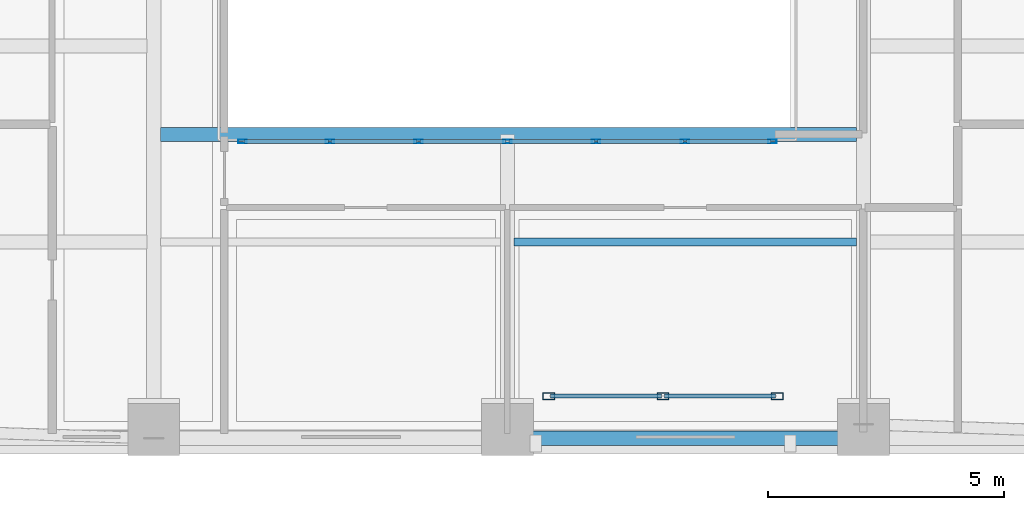
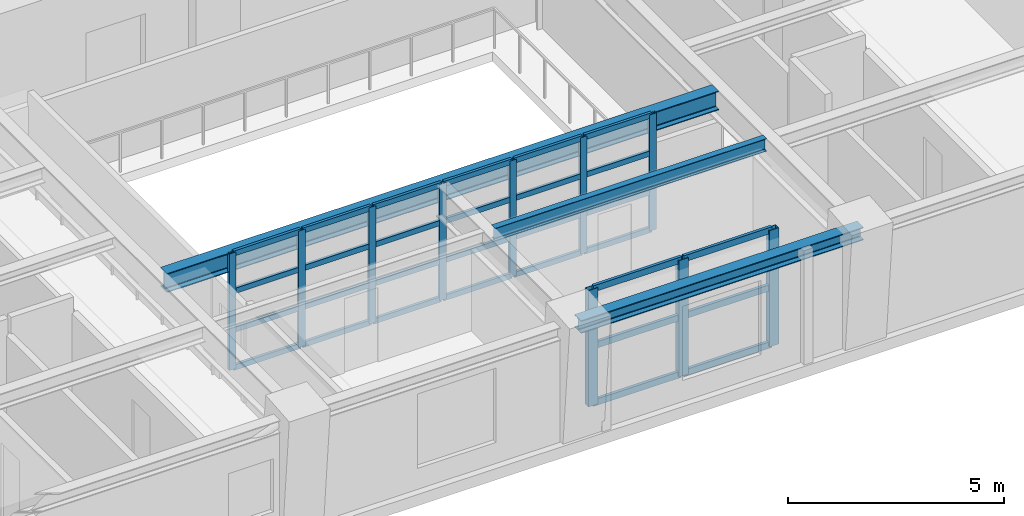
# One storey, part 2 of 13: 40 members, 3 beams, 2 elements without a shape of their own.
"""IFC4 building model written with IfcOpenShell, lengths in metres."""

import ifcopenshell
import ifcopenshell.guid

model = None  # the IFC model being written
_history = None  # IfcOwnerHistory: only IFC2X3 demands one
_inside = {}  # id of a spatial element -> (the spatial element, [elements in it])
_under = {}  # id of a project, library or spatial element -> (it, [spatial elements below it])
_declared = {}  # id of a project -> (the project, [libraries it declares])
_typed = {}  # id of a type object -> (the type object, [elements of that type])
_made_of = {}  # id of a material, layer set ... -> (it, [elements and type objects made of it])


def new_model(schema):
    """Start an empty IFC model of exactly this schema.

    Asked for "IFC4X3", IfcOpenShell would pick the latest addendum, in which some entities
    have other attributes; the version numbers below select the first issue.
    IFC2X3 requires an IfcOwnerHistory on every rooted entity: one is made here for all.
    """
    global model, _history
    if schema == "IFC4X3":
        model = ifcopenshell.file(schema_version=(4, 3, 0, 0))
    else:
        model = ifcopenshell.file(schema=schema)
    _inside.clear()
    _under.clear()
    _declared.clear()
    _typed.clear()
    _made_of.clear()
    _history = None
    if model.schema == "IFC2X3":
        org = make("IfcOrganization", Name="unknown")
        user = make(
            "IfcPersonAndOrganization",
            ThePerson=make("IfcPerson", FamilyName="unknown"),
            TheOrganization=org,
        )
        app = make(
            "IfcApplication",
            ApplicationDeveloper=org,
            Version="unknown",
            ApplicationFullName="unknown",
            ApplicationIdentifier="unknown",
        )
        _history = make(
            "IfcOwnerHistory",
            OwningUser=user,
            OwningApplication=app,
            ChangeAction="ADDED",
            CreationDate=0,
        )
    return model


def make(cls, **values):
    """One entity of the class cls with the attributes given. An attribute that is None is left unset."""
    return model.create_entity(
        cls, **{name: value for name, value in values.items() if value is not None}
    )


def rooted(cls, **values):
    """An entity with a GlobalId (a new one), such as an element, a storey or a relation."""
    return make(cls, GlobalId=ifcopenshell.guid.new(), OwnerHistory=_history, **values)


def si_unit(unit_type, name, prefix=None):
    """IfcSIUnit, for example si_unit("LENGTHUNIT", "METRE", prefix="MILLI")."""
    return make("IfcSIUnit", UnitType=unit_type, Prefix=prefix, Name=name)


def assignment(units):
    """IfcUnitAssignment: the units of a project."""
    return None if units is None else make("IfcUnitAssignment", Units=units)


def point(xyz):
    """IfcCartesianPoint."""
    return None if xyz is None else make("IfcCartesianPoint", Coordinates=xyz)


def direction(xyz):
    """IfcDirection."""
    return None if xyz is None else make("IfcDirection", DirectionRatios=xyz)


def frame(location, z_axis=None, x_axis=None):
    """IfcAxis2Placement3D, a coordinate frame: its origin and axes. An axis left out is left unset."""
    return make(
        "IfcAxis2Placement3D",
        Location=point(location),
        Axis=direction(z_axis),
        RefDirection=direction(x_axis),
    )


def frame_2d(location, x_axis=None):
    """IfcAxis2Placement2D, a coordinate frame in the plane: its origin and x axis."""
    return make(
        "IfcAxis2Placement2D", Location=point(location), RefDirection=direction(x_axis)
    )


def origin():
    """The frame at (0, 0, 0) with its axes left unset."""
    return frame((0.0, 0.0, 0.0))


def origin_2d():
    """The frame at (0, 0) in the plane with its x axis left unset."""
    return frame_2d((0.0, 0.0))


def place(relative_to, where):
    """IfcLocalPlacement: puts the frame where relative to a parent placement (None: the world)."""
    return make(
        "IfcLocalPlacement", PlacementRelTo=relative_to, RelativePlacement=where
    )


def context(
    kind, dimensions, precision=None, world=None, true_north=None, identifier=None
):
    """IfcGeometricRepresentationContext, for example the 3D "Model" context."""
    return make(
        "IfcGeometricRepresentationContext",
        ContextIdentifier=identifier,
        ContextType=kind,
        CoordinateSpaceDimension=dimensions,
        Precision=precision,
        WorldCoordinateSystem=world,
        TrueNorth=true_north,
    )


def subcontext(parent, identifier, kind, view, scale=None):
    """IfcGeometricRepresentationSubContext, for example "Body" below "Model"."""
    return make(
        "IfcGeometricRepresentationSubContext",
        ContextIdentifier=identifier,
        ContextType=kind,
        ParentContext=parent,
        TargetScale=scale,
        TargetView=view,
    )


def project(units=None, contexts=None):
    """IfcProject with its units and contexts."""
    return rooted(
        "IfcProject",
        Name="project",
        RepresentationContexts=contexts,
        UnitsInContext=assignment(units),
    )


def spatial(cls, under=None, at=None, **own):
    """A site, building, storey or space (cls), placed at a placement, below another one or the project."""
    s = rooted(cls, ObjectPlacement=at, **own)
    if under is not None:
        _under.setdefault(under.id(), (under, []))[1].append(s)
    return s


def profile(cls, at=None, kind="AREA", **sizes):
    """A parametric profile (cls). Its sizes go by their IFC names, for example OverallWidth=200.0."""
    return make(cls, ProfileType=kind, Position=at, **sizes)


def hollow_rectangle(**sizes):
    """IfcRectangleHollowProfileDef."""
    return profile("IfcRectangleHollowProfileDef", **sizes)


def i_section(**sizes):
    """IfcIShapeProfileDef."""
    return profile("IfcIShapeProfileDef", **sizes)


def extrude(swept, where, along, depth):
    """IfcExtrudedAreaSolid: the profile swept, set in the frame where, extruded along a direction by depth."""
    return make(
        "IfcExtrudedAreaSolid",
        SweptArea=swept,
        Position=where,
        ExtrudedDirection=direction(along),
        Depth=depth,
    )


def shape(context_of_items, identifier, shape_type, items):
    """IfcShapeRepresentation: the items that make up one representation, for example the "Body"."""
    return make(
        "IfcShapeRepresentation",
        ContextOfItems=context_of_items,
        RepresentationIdentifier=identifier,
        RepresentationType=shape_type,
        Items=items,
    )


def material(Name=None, Category=None):
    """IfcMaterial."""
    return make("IfcMaterial", Name=Name, Category=Category)


def layer(
    of_material, thickness, ventilated=None, Name=None, Category=None, Priority=None
):
    """IfcMaterialLayer: one layer of a wall or slab, of a material (None: an air gap)."""
    return make(
        "IfcMaterialLayer",
        Material=of_material,
        LayerThickness=thickness,
        IsVentilated=ventilated,
        Name=Name,
        Category=Category,
        Priority=Priority,
    )


def layer_set(layers, Name=None):
    """IfcMaterialLayerSet."""
    return make("IfcMaterialLayerSet", MaterialLayers=layers, LayerSetName=Name)


def material_profile(
    of_material, cross_section, Name=None, Category=None, Priority=None
):
    """IfcMaterialProfile: a cross section and its material."""
    return make(
        "IfcMaterialProfile",
        Name=Name,
        Material=of_material,
        Profile=cross_section,
        Priority=Priority,
        Category=Category,
    )


def profile_set(profiles, Name=None, composite=None):
    """IfcMaterialProfileSet."""
    return make(
        "IfcMaterialProfileSet",
        Name=Name,
        MaterialProfiles=profiles,
        CompositeProfile=composite,
    )


def made_of(thing, what):
    """Note that an element or type object is made of a material, layer set ...; save() writes the relation."""
    if what is not None:
        _made_of.setdefault(what.id(), (what, []))[1].append(thing)
    return thing


def type_object(cls, material=None, **own):
    """A type object (cls), such as IfcWallType, which elements share."""
    return made_of(rooted(cls, **own), material)


def element(
    cls,
    number,
    at=None,
    inside=None,
    cuts=None,
    type_object=None,
    material=None,
    context=None,
    identifier="Body",
    shape_type=None,
    held_by="IfcProductDefinitionShape",
    body=None,
    shapes=None,
    **own,
):
    """One element of the class cls, such as IfcWall. Its Tag is "e" and its number.

    at: its placement. inside: the storey or other place that contains it. cuts: it is an
    opening in that element (IfcRelVoidsElement). A single representation is given by context,
    identifier, shape_type and body (its items); several are given by shapes. held_by: the class
    of the entity that holds the representations. save() writes the other relations.
    """
    e = rooted(cls, Tag="e%d" % number, ObjectPlacement=at, **own)
    if body is not None:
        shapes = [shape(context, identifier, shape_type, body)]
    if shapes is not None:
        e.Representation = make(held_by, Representations=shapes)
    if inside is not None:
        _inside.setdefault(inside.id(), (inside, []))[1].append(e)
    if cuts is not None:
        rooted(
            "IfcRelVoidsElement", RelatingBuildingElement=cuts, RelatedOpeningElement=e
        )
    if type_object is not None:
        _typed.setdefault(type_object.id(), (type_object, []))[1].append(e)
    return made_of(e, material)


def aggregate(whole, parts):
    """IfcRelAggregates: a whole, such as a stair, and the parts it consists of."""
    return rooted("IfcRelAggregates", RelatingObject=whole, RelatedObjects=parts)


def save(model, path):
    """Write the relations noted so far, then the file.

    IfcRelAggregates (storeys below a building ...), IfcRelContainedInSpatialStructure (elements
    in a storey), IfcRelDefinesByType, IfcRelAssociatesMaterial and IfcRelDeclares: one each for
    every whole, place, type object, material and project.
    """
    for whole, parts in _under.values():
        aggregate(whole, parts)
    for where, things in _inside.values():
        rooted(
            "IfcRelContainedInSpatialStructure",
            RelatedElements=things,
            RelatingStructure=where,
        )
    for kind, things in _typed.values():
        rooted("IfcRelDefinesByType", RelatedObjects=things, RelatingType=kind)
    for what, things in _made_of.values():
        rooted("IfcRelAssociatesMaterial", RelatedObjects=things, RelatingMaterial=what)
    for by, libraries in _declared.values():
        rooted("IfcRelDeclares", RelatingContext=by, RelatedDefinitions=libraries)
    model.write(path)


model = new_model("IFC4")

# Units and contexts
model_context = context("Model", 3, precision=1e-05, world=origin(), true_north=direction((0.0, 1.0)))
body_context = subcontext(model_context, "Body", "Model", "MODEL_VIEW")
ifc_project = project(units=[si_unit("LENGTHUNIT", "METRE"), si_unit("AREAUNIT", "SQUARE_METRE"), si_unit("VOLUMEUNIT", "CUBIC_METRE"), si_unit("PLANEANGLEUNIT", "RADIAN"), si_unit("MASSUNIT", "GRAM", prefix="KILO")], contexts=[model_context])

# Site, building, storey
site_placement = place(None, origin())
site = spatial("IfcSite", under=ifc_project, at=site_placement, CompositionType="ELEMENT")
building_placement = place(site_placement, origin())
building = spatial("IfcBuilding", under=site, at=building_placement, Name="Zarnavel Station Tower", CompositionType="ELEMENT")
storey_placement = place(building_placement, frame((0.0, 0.0, 169.64990234375)))
storey = spatial("IfcBuildingStorey", under=building, at=storey_placement, Name="L46", CompositionType="ELEMENT", Elevation=169.64990234375)

# Curtain wall, members
ifc_material_1 = material(Name="Aluminium Dark Anodised and Solar-Control Glass", Category="aluminium")
ifc_layer_1 = layer(ifc_material_1, 0.179931640625)
ifc_layer_set_1 = layer_set([ifc_layer_1], Name="CWS4")
curtain_wall_type_1 = type_object("IfcCurtainWallType", Name="CWS4", PredefinedType="NOTDEFINED", material=ifc_layer_set_1)
curtain_wall_1_placement = place(storey_placement, origin())
curtain_wall_1 = element("IfcCurtainWall", 1, at=curtain_wall_1_placement, inside=storey, type_object=curtain_wall_type_1, Name="L46 Curtain Wall CWS4-L46-AS", PredefinedType="NOTDEFINED")
ifc_material_2 = material(Name="Steel S355J2 (Black Fluoropolymer Coated)", Category="steel")
ifc_material_profile_1 = material_profile(ifc_material_2, hollow_rectangle(XDim=0.080078125, YDim=0.179931640625, WallThickness=0.00634765625, at=origin_2d()), Name="RHS180x80x6.3")
ifc_profile_set_1 = profile_set([ifc_material_profile_1], Name="Steel S355J2 (Black Fluoropolymer Coated)")
member_type_1 = type_object("IfcMemberType", Name="CWS4_MUL", PredefinedType="MULLION", material=ifc_profile_set_1)
member_1_placement = place(storey_placement, frame((23.179931640625, 16.85009765625, 0.0), z_axis=(0.0, 0.0, 1.0), x_axis=(0.0, 1.0, 0.0)))
member_1 = element("IfcMember", 2, at=member_1_placement, type_object=member_type_1, Name="CW4 mullion 1", PredefinedType="MULLION", context=body_context, shape_type="SweptSolid", body=[
    extrude(hollow_rectangle(XDim=0.080078125, YDim=0.179931640625, WallThickness=0.00634765625, at=origin_2d()), origin(), (0.0, 0.0, 1.0), 3.2900390625),
])
member_2_placement = place(storey_placement, frame((25.033447265625, 16.85009765625, 0.0), z_axis=(0.0, 0.0, 1.0), x_axis=(0.0, 1.0, 0.0)))
member_2 = element("IfcMember", 3, at=member_2_placement, type_object=member_type_1, Name="CW4 mullion 2", PredefinedType="MULLION", context=body_context, shape_type="SweptSolid", body=[
    extrude(hollow_rectangle(XDim=0.080078125, YDim=0.179931640625, WallThickness=0.00634765625, at=origin_2d()), origin(), (0.0, 0.0, 1.0), 3.2900390625),
])
member_3_placement = place(storey_placement, frame((26.916748046875, 16.85009765625, 0.0), z_axis=(0.0, 0.0, 1.0), x_axis=(0.0, 1.0, 0.0)))
member_3 = element("IfcMember", 4, at=member_3_placement, type_object=member_type_1, Name="CW4 mullion 3", PredefinedType="MULLION", context=body_context, shape_type="SweptSolid", body=[
    extrude(hollow_rectangle(XDim=0.080078125, YDim=0.179931640625, WallThickness=0.00634765625, at=origin_2d()), origin(), (0.0, 0.0, 1.0), 3.2900390625),
])
member_4_placement = place(storey_placement, frame((28.800048828125, 16.85009765625, 0.0), z_axis=(0.0, 0.0, 1.0), x_axis=(0.0, 1.0, 0.0)))
member_4 = element("IfcMember", 5, at=member_4_placement, type_object=member_type_1, Name="CW4 mullion 4", PredefinedType="MULLION", context=body_context, shape_type="SweptSolid", body=[
    extrude(hollow_rectangle(XDim=0.080078125, YDim=0.179931640625, WallThickness=0.00634765625, at=origin_2d()), origin(), (0.0, 0.0, 1.0), 3.2900390625),
])
member_5_placement = place(storey_placement, frame((30.683349609375, 16.85009765625, 0.0), z_axis=(0.0, 0.0, 1.0), x_axis=(0.0, 1.0, 0.0)))
member_5 = element("IfcMember", 6, at=member_5_placement, type_object=member_type_1, Name="CW4 mullion 5", PredefinedType="MULLION", context=body_context, shape_type="SweptSolid", body=[
    extrude(hollow_rectangle(XDim=0.080078125, YDim=0.179931640625, WallThickness=0.00634765625, at=origin_2d()), origin(), (0.0, 0.0, 1.0), 3.2900390625),
])
member_6_placement = place(storey_placement, frame((32.566650390625, 16.85009765625, 0.0), z_axis=(0.0, 0.0, 1.0), x_axis=(0.0, 1.0, 0.0)))
member_6 = element("IfcMember", 7, at=member_6_placement, type_object=member_type_1, Name="CW4 mullion 6", PredefinedType="MULLION", context=body_context, shape_type="SweptSolid", body=[
    extrude(hollow_rectangle(XDim=0.080078125, YDim=0.179931640625, WallThickness=0.00634765625, at=origin_2d()), origin(), (0.0, 0.0, 1.0), 3.2900390625),
])
member_7_placement = place(storey_placement, frame((34.419921875, 16.85009765625, 0.0), z_axis=(0.0, 0.0, 1.0), x_axis=(0.0, 1.0, 0.0)))
member_7 = element("IfcMember", 8, at=member_7_placement, type_object=member_type_1, Name="CW4 mullion 7", PredefinedType="MULLION", context=body_context, shape_type="SweptSolid", body=[
    extrude(hollow_rectangle(XDim=0.080078125, YDim=0.179931640625, WallThickness=0.00634765625, at=origin_2d()), origin(), (0.0, 0.0, 1.0), 3.2900390625),
])
ifc_material_3 = material(Name="Steel S355J2 (Black Fluoropolymer Coated)", Category="steel")
ifc_material_profile_2 = material_profile(ifc_material_3, hollow_rectangle(XDim=0.074951171875, YDim=0.14990234375, WallThickness=0.00634765625, at=origin_2d()), Name="RHS150x75x6.3")
ifc_profile_set_2 = profile_set([ifc_material_profile_2], Name="Steel S355J2 (Black Fluoropolymer Coated)")
member_type_2 = type_object("IfcMemberType", Name="CWS4_TRN", PredefinedType="USERDEFINED", material=ifc_profile_set_2)
member_8_placement = place(storey_placement, frame((23.2099609375, 16.85009765625, 0.030029296875), z_axis=(1.0, 0.0, 0.0), x_axis=(0.0, 1.0, 0.0)))
member_8 = element("IfcMember", 9, at=member_8_placement, type_object=member_type_2, Name="CW4 transom 1.1", ObjectType="TRANSOM", PredefinedType="USERDEFINED", context=body_context, shape_type="SweptSolid", body=[
    extrude(hollow_rectangle(XDim=0.074951171875, YDim=0.14990234375, WallThickness=0.00634765625, at=origin_2d()), origin(), (0.0, 0.0, 1.0), 1.79345703125),
])
member_9_placement = place(storey_placement, frame((23.2099609375, 16.85009765625, 1.0966796875), z_axis=(1.0, 0.0, 0.0), x_axis=(0.0, 1.0, 0.0)))
member_9 = element("IfcMember", 10, at=member_9_placement, type_object=member_type_2, Name="CW4 transom 1.2", ObjectType="TRANSOM", PredefinedType="USERDEFINED", context=body_context, shape_type="SweptSolid", body=[
    extrude(hollow_rectangle(XDim=0.074951171875, YDim=0.14990234375, WallThickness=0.00634765625, at=origin_2d()), origin(), (0.0, 0.0, 1.0), 1.79345703125),
])
member_10_placement = place(storey_placement, frame((23.2099609375, 16.85009765625, 2.193359375), z_axis=(1.0, 0.0, 0.0), x_axis=(0.0, 1.0, 0.0)))
member_10 = element("IfcMember", 11, at=member_10_placement, type_object=member_type_2, Name="CW4 transom 1.3", ObjectType="TRANSOM", PredefinedType="USERDEFINED", context=body_context, shape_type="SweptSolid", body=[
    extrude(hollow_rectangle(XDim=0.074951171875, YDim=0.14990234375, WallThickness=0.00634765625, at=origin_2d()), origin(), (0.0, 0.0, 1.0), 1.79345703125),
])
member_11_placement = place(storey_placement, frame((23.2099609375, 16.85009765625, 3.260009765625), z_axis=(1.0, 0.0, 0.0), x_axis=(0.0, 1.0, 0.0)))
member_11 = element("IfcMember", 12, at=member_11_placement, type_object=member_type_2, Name="CW4 transom 1.4", ObjectType="TRANSOM", PredefinedType="USERDEFINED", context=body_context, shape_type="SweptSolid", body=[
    extrude(hollow_rectangle(XDim=0.074951171875, YDim=0.14990234375, WallThickness=0.00634765625, at=origin_2d()), origin(), (0.0, 0.0, 1.0), 1.79345703125),
])
member_12_placement = place(storey_placement, frame((25.063232421875, 16.85009765625, 0.030029296875), z_axis=(1.0, 0.0, 0.0), x_axis=(0.0, 1.0, 0.0)))
member_12 = element("IfcMember", 13, at=member_12_placement, type_object=member_type_2, Name="CW4 transom 2.1", ObjectType="TRANSOM", PredefinedType="USERDEFINED", context=body_context, shape_type="SweptSolid", body=[
    extrude(hollow_rectangle(XDim=0.074951171875, YDim=0.14990234375, WallThickness=0.00634765625, at=origin_2d()), origin(), (0.0, 0.0, 1.0), 1.823486328125),
])
member_13_placement = place(storey_placement, frame((25.063232421875, 16.85009765625, 1.0966796875), z_axis=(1.0, 0.0, 0.0), x_axis=(0.0, 1.0, 0.0)))
member_13 = element("IfcMember", 14, at=member_13_placement, type_object=member_type_2, Name="CW4 transom 2.2", ObjectType="TRANSOM", PredefinedType="USERDEFINED", context=body_context, shape_type="SweptSolid", body=[
    extrude(hollow_rectangle(XDim=0.074951171875, YDim=0.14990234375, WallThickness=0.00634765625, at=origin_2d()), origin(), (0.0, 0.0, 1.0), 1.823486328125),
])
member_14_placement = place(storey_placement, frame((25.063232421875, 16.85009765625, 2.193359375), z_axis=(1.0, 0.0, 0.0), x_axis=(0.0, 1.0, 0.0)))
member_14 = element("IfcMember", 15, at=member_14_placement, type_object=member_type_2, Name="CW4 transom 2.3", ObjectType="TRANSOM", PredefinedType="USERDEFINED", context=body_context, shape_type="SweptSolid", body=[
    extrude(hollow_rectangle(XDim=0.074951171875, YDim=0.14990234375, WallThickness=0.00634765625, at=origin_2d()), origin(), (0.0, 0.0, 1.0), 1.823486328125),
])
member_15_placement = place(storey_placement, frame((25.063232421875, 16.85009765625, 3.260009765625), z_axis=(1.0, 0.0, 0.0), x_axis=(0.0, 1.0, 0.0)))
member_15 = element("IfcMember", 16, at=member_15_placement, type_object=member_type_2, Name="CW4 transom 2.4", ObjectType="TRANSOM", PredefinedType="USERDEFINED", context=body_context, shape_type="SweptSolid", body=[
    extrude(hollow_rectangle(XDim=0.074951171875, YDim=0.14990234375, WallThickness=0.00634765625, at=origin_2d()), origin(), (0.0, 0.0, 1.0), 1.823486328125),
])
member_16_placement = place(storey_placement, frame((26.94677734375, 16.85009765625, 0.030029296875), z_axis=(1.0, 0.0, 0.0), x_axis=(0.0, 1.0, 0.0)))
member_16 = element("IfcMember", 17, at=member_16_placement, type_object=member_type_2, Name="CW4 transom 3.1", ObjectType="TRANSOM", PredefinedType="USERDEFINED", context=body_context, shape_type="SweptSolid", body=[
    extrude(hollow_rectangle(XDim=0.074951171875, YDim=0.14990234375, WallThickness=0.00634765625, at=origin_2d()), origin(), (0.0, 0.0, 1.0), 1.8232421875),
])
member_17_placement = place(storey_placement, frame((26.94677734375, 16.85009765625, 1.0966796875), z_axis=(1.0, 0.0, 0.0), x_axis=(0.0, 1.0, 0.0)))
member_17 = element("IfcMember", 18, at=member_17_placement, type_object=member_type_2, Name="CW4 transom 3.2", ObjectType="TRANSOM", PredefinedType="USERDEFINED", context=body_context, shape_type="SweptSolid", body=[
    extrude(hollow_rectangle(XDim=0.074951171875, YDim=0.14990234375, WallThickness=0.00634765625, at=origin_2d()), origin(), (0.0, 0.0, 1.0), 1.8232421875),
])
member_18_placement = place(storey_placement, frame((26.94677734375, 16.85009765625, 2.193359375), z_axis=(1.0, 0.0, 0.0), x_axis=(0.0, 1.0, 0.0)))
member_18 = element("IfcMember", 19, at=member_18_placement, type_object=member_type_2, Name="CW4 transom 3.3", ObjectType="TRANSOM", PredefinedType="USERDEFINED", context=body_context, shape_type="SweptSolid", body=[
    extrude(hollow_rectangle(XDim=0.074951171875, YDim=0.14990234375, WallThickness=0.00634765625, at=origin_2d()), origin(), (0.0, 0.0, 1.0), 1.8232421875),
])
member_19_placement = place(storey_placement, frame((26.94677734375, 16.85009765625, 3.260009765625), z_axis=(1.0, 0.0, 0.0), x_axis=(0.0, 1.0, 0.0)))
member_19 = element("IfcMember", 20, at=member_19_placement, type_object=member_type_2, Name="CW4 transom 3.4", ObjectType="TRANSOM", PredefinedType="USERDEFINED", context=body_context, shape_type="SweptSolid", body=[
    extrude(hollow_rectangle(XDim=0.074951171875, YDim=0.14990234375, WallThickness=0.00634765625, at=origin_2d()), origin(), (0.0, 0.0, 1.0), 1.8232421875),
])
member_20_placement = place(storey_placement, frame((28.830078125, 16.85009765625, 0.030029296875), z_axis=(1.0, 0.0, 0.0), x_axis=(0.0, 1.0, 0.0)))
member_20 = element("IfcMember", 21, at=member_20_placement, type_object=member_type_2, Name="CW4 transom 4.1", ObjectType="TRANSOM", PredefinedType="USERDEFINED", context=body_context, shape_type="SweptSolid", body=[
    extrude(hollow_rectangle(XDim=0.074951171875, YDim=0.14990234375, WallThickness=0.00634765625, at=origin_2d()), origin(), (0.0, 0.0, 1.0), 1.8232421875),
])
member_21_placement = place(storey_placement, frame((28.830078125, 16.85009765625, 1.0966796875), z_axis=(1.0, 0.0, 0.0), x_axis=(0.0, 1.0, 0.0)))
member_21 = element("IfcMember", 22, at=member_21_placement, type_object=member_type_2, Name="CW4 transom 4.2", ObjectType="TRANSOM", PredefinedType="USERDEFINED", context=body_context, shape_type="SweptSolid", body=[
    extrude(hollow_rectangle(XDim=0.074951171875, YDim=0.14990234375, WallThickness=0.00634765625, at=origin_2d()), origin(), (0.0, 0.0, 1.0), 1.8232421875),
])
member_22_placement = place(storey_placement, frame((28.830078125, 16.85009765625, 2.193359375), z_axis=(1.0, 0.0, 0.0), x_axis=(0.0, 1.0, 0.0)))
member_22 = element("IfcMember", 23, at=member_22_placement, type_object=member_type_2, Name="CW4 transom 4.3", ObjectType="TRANSOM", PredefinedType="USERDEFINED", context=body_context, shape_type="SweptSolid", body=[
    extrude(hollow_rectangle(XDim=0.074951171875, YDim=0.14990234375, WallThickness=0.00634765625, at=origin_2d()), origin(), (0.0, 0.0, 1.0), 1.8232421875),
])
member_23_placement = place(storey_placement, frame((28.830078125, 16.85009765625, 3.260009765625), z_axis=(1.0, 0.0, 0.0), x_axis=(0.0, 1.0, 0.0)))
member_23 = element("IfcMember", 24, at=member_23_placement, type_object=member_type_2, Name="CW4 transom 4.4", ObjectType="TRANSOM", PredefinedType="USERDEFINED", context=body_context, shape_type="SweptSolid", body=[
    extrude(hollow_rectangle(XDim=0.074951171875, YDim=0.14990234375, WallThickness=0.00634765625, at=origin_2d()), origin(), (0.0, 0.0, 1.0), 1.8232421875),
])
member_24_placement = place(storey_placement, frame((30.71337890625, 16.85009765625, 0.030029296875), z_axis=(1.0, 0.0, 0.0), x_axis=(0.0, 1.0, 0.0)))
member_24 = element("IfcMember", 25, at=member_24_placement, type_object=member_type_2, Name="CW4 transom 5.1", ObjectType="TRANSOM", PredefinedType="USERDEFINED", context=body_context, shape_type="SweptSolid", body=[
    extrude(hollow_rectangle(XDim=0.074951171875, YDim=0.14990234375, WallThickness=0.00634765625, at=origin_2d()), origin(), (0.0, 0.0, 1.0), 1.8232421875),
])
member_25_placement = place(storey_placement, frame((30.71337890625, 16.85009765625, 1.0966796875), z_axis=(1.0, 0.0, 0.0), x_axis=(0.0, 1.0, 0.0)))
member_25 = element("IfcMember", 26, at=member_25_placement, type_object=member_type_2, Name="CW4 transom 5.2", ObjectType="TRANSOM", PredefinedType="USERDEFINED", context=body_context, shape_type="SweptSolid", body=[
    extrude(hollow_rectangle(XDim=0.074951171875, YDim=0.14990234375, WallThickness=0.00634765625, at=origin_2d()), origin(), (0.0, 0.0, 1.0), 1.8232421875),
])
member_26_placement = place(storey_placement, frame((30.71337890625, 16.85009765625, 2.193359375), z_axis=(1.0, 0.0, 0.0), x_axis=(0.0, 1.0, 0.0)))
member_26 = element("IfcMember", 27, at=member_26_placement, type_object=member_type_2, Name="CW4 transom 5.3", ObjectType="TRANSOM", PredefinedType="USERDEFINED", context=body_context, shape_type="SweptSolid", body=[
    extrude(hollow_rectangle(XDim=0.074951171875, YDim=0.14990234375, WallThickness=0.00634765625, at=origin_2d()), origin(), (0.0, 0.0, 1.0), 1.8232421875),
])
member_27_placement = place(storey_placement, frame((30.71337890625, 16.85009765625, 3.260009765625), z_axis=(1.0, 0.0, 0.0), x_axis=(0.0, 1.0, 0.0)))
member_27 = element("IfcMember", 28, at=member_27_placement, type_object=member_type_2, Name="CW4 transom 5.4", ObjectType="TRANSOM", PredefinedType="USERDEFINED", context=body_context, shape_type="SweptSolid", body=[
    extrude(hollow_rectangle(XDim=0.074951171875, YDim=0.14990234375, WallThickness=0.00634765625, at=origin_2d()), origin(), (0.0, 0.0, 1.0), 1.8232421875),
])
member_28_placement = place(storey_placement, frame((32.5966796875, 16.85009765625, 0.030029296875), z_axis=(1.0, 0.0, 0.0), x_axis=(0.0, 1.0, 0.0)))
member_28 = element("IfcMember", 29, at=member_28_placement, type_object=member_type_2, Name="CW4 transom 6.1", ObjectType="TRANSOM", PredefinedType="USERDEFINED", context=body_context, shape_type="SweptSolid", body=[
    extrude(hollow_rectangle(XDim=0.074951171875, YDim=0.14990234375, WallThickness=0.00634765625, at=origin_2d()), origin(), (0.0, 0.0, 1.0), 1.793212890625),
])
member_29_placement = place(storey_placement, frame((32.5966796875, 16.85009765625, 1.0966796875), z_axis=(1.0, 0.0, 0.0), x_axis=(0.0, 1.0, 0.0)))
member_29 = element("IfcMember", 30, at=member_29_placement, type_object=member_type_2, Name="CW4 transom 6.2", ObjectType="TRANSOM", PredefinedType="USERDEFINED", context=body_context, shape_type="SweptSolid", body=[
    extrude(hollow_rectangle(XDim=0.074951171875, YDim=0.14990234375, WallThickness=0.00634765625, at=origin_2d()), origin(), (0.0, 0.0, 1.0), 1.793212890625),
])
member_30_placement = place(storey_placement, frame((32.5966796875, 16.85009765625, 2.193359375), z_axis=(1.0, 0.0, 0.0), x_axis=(0.0, 1.0, 0.0)))
member_30 = element("IfcMember", 31, at=member_30_placement, type_object=member_type_2, Name="CW4 transom 6.3", ObjectType="TRANSOM", PredefinedType="USERDEFINED", context=body_context, shape_type="SweptSolid", body=[
    extrude(hollow_rectangle(XDim=0.074951171875, YDim=0.14990234375, WallThickness=0.00634765625, at=origin_2d()), origin(), (0.0, 0.0, 1.0), 1.793212890625),
])
member_31_placement = place(storey_placement, frame((32.5966796875, 16.85009765625, 3.260009765625), z_axis=(1.0, 0.0, 0.0), x_axis=(0.0, 1.0, 0.0)))
member_31 = element("IfcMember", 32, at=member_31_placement, type_object=member_type_2, Name="CW4 transom 6.4", ObjectType="TRANSOM", PredefinedType="USERDEFINED", context=body_context, shape_type="SweptSolid", body=[
    extrude(hollow_rectangle(XDim=0.074951171875, YDim=0.14990234375, WallThickness=0.00634765625, at=origin_2d()), origin(), (0.0, 0.0, 1.0), 1.793212890625),
])
aggregate(curtain_wall_1, [member_1, member_2, member_3, member_4, member_5, member_6, member_7, member_8, member_9, member_10, member_11, member_12, member_13, member_14, member_15, member_16, member_17, member_18, member_19, member_20, member_21, member_22, member_23, member_24, member_25, member_26, member_27, member_28, member_29, member_30, member_31])

ifc_material_4 = material(Name="Aluminium Dark Anodised and Solar-Control Glass", Category="aluminium")
ifc_layer_2 = layer(ifc_material_4, 0.179931640625)
ifc_layer_set_2 = layer_set([ifc_layer_2], Name="CWS6")
curtain_wall_type_2 = type_object("IfcCurtainWallType", Name="CWS6", PredefinedType="NOTDEFINED", material=ifc_layer_set_2)
curtain_wall_2_placement = place(storey_placement, origin())
curtain_wall_2 = element("IfcCurtainWall", 33, at=curtain_wall_2_placement, inside=storey, type_object=curtain_wall_type_2, Name="L46 Curtain Wall CWS6-LOG-L46", PredefinedType="NOTDEFINED")
ifc_material_5 = material(Name="Steel S355J2 (Black Fluoropolymer Coated)", Category="steel")
ifc_material_profile_3 = material_profile(ifc_material_5, hollow_rectangle(XDim=0.14990234375, YDim=0.25, WallThickness=0.010009765625, at=origin_2d()), Name="RHS250x150x10")
ifc_profile_set_3 = profile_set([ifc_material_profile_3], Name="Steel S355J2 (Black Fluoropolymer Coated)")
member_type_3 = type_object("IfcMemberType", Name="CWS6_MUL", PredefinedType="MULLION", material=ifc_profile_set_3)
member_32_placement = place(storey_placement, frame((29.679931640625, 11.449951171875, 0.0), z_axis=(0.0, 0.0, 1.0), x_axis=(0.0, 1.0, 0.0)))
member_32 = element("IfcMember", 34, at=member_32_placement, type_object=member_type_3, Name="CW6 mullion 1", PredefinedType="MULLION", context=body_context, shape_type="SweptSolid", body=[
    extrude(hollow_rectangle(XDim=0.14990234375, YDim=0.25, WallThickness=0.010009765625, at=origin_2d()), origin(), (0.0, 0.0, 1.0), 3.2900390625),
])
member_33_placement = place(storey_placement, frame((32.10009765625, 11.449951171875, 0.0), z_axis=(0.0, 0.0, 1.0), x_axis=(0.0, 1.0, 0.0)))
member_33 = element("IfcMember", 35, at=member_33_placement, type_object=member_type_3, Name="CW6 mullion 2", PredefinedType="MULLION", context=body_context, shape_type="SweptSolid", body=[
    extrude(hollow_rectangle(XDim=0.14990234375, YDim=0.25, WallThickness=0.010009765625, at=origin_2d()), origin(), (0.0, 0.0, 1.0), 3.2900390625),
])
member_34_placement = place(storey_placement, frame((34.52001953125, 11.449951171875, 0.0), z_axis=(0.0, 0.0, 1.0), x_axis=(0.0, 1.0, 0.0)))
member_34 = element("IfcMember", 36, at=member_34_placement, type_object=member_type_3, Name="CW6 mullion 3", PredefinedType="MULLION", context=body_context, shape_type="SweptSolid", body=[
    extrude(hollow_rectangle(XDim=0.14990234375, YDim=0.25, WallThickness=0.010009765625, at=origin_2d()), origin(), (0.0, 0.0, 1.0), 3.2900390625),
])
ifc_material_6 = material(Name="Steel S355J2 (Black Fluoropolymer Coated)", Category="steel")
ifc_material_profile_4 = material_profile(ifc_material_6, hollow_rectangle(XDim=0.080078125, YDim=0.179931640625, WallThickness=0.00634765625, at=origin_2d()), Name="RHS180x80x6.3")
ifc_profile_set_4 = profile_set([ifc_material_profile_4], Name="Steel S355J2 (Black Fluoropolymer Coated)")
member_type_4 = type_object("IfcMemberType", Name="CWS6_TRN", PredefinedType="USERDEFINED", material=ifc_profile_set_4)
member_35_placement = place(storey_placement, frame((29.7099609375, 11.449951171875, 0.030029296875), z_axis=(1.0, 0.0, 0.0), x_axis=(0.0, 1.0, 0.0)))
member_35 = element("IfcMember", 37, at=member_35_placement, type_object=member_type_4, Name="CW6 transom 1.1", ObjectType="TRANSOM", PredefinedType="USERDEFINED", context=body_context, shape_type="SweptSolid", body=[
    extrude(hollow_rectangle(XDim=0.080078125, YDim=0.179931640625, WallThickness=0.00634765625, at=origin_2d()), origin(), (0.0, 0.0, 1.0), 2.360107421875),
])
member_36_placement = place(storey_placement, frame((29.7099609375, 11.449951171875, 1.64501953125), z_axis=(1.0, 0.0, 0.0), x_axis=(0.0, 1.0, 0.0)))
member_36 = element("IfcMember", 38, at=member_36_placement, type_object=member_type_4, Name="CW6 transom 1.2", ObjectType="TRANSOM", PredefinedType="USERDEFINED", context=body_context, shape_type="SweptSolid", body=[
    extrude(hollow_rectangle(XDim=0.080078125, YDim=0.179931640625, WallThickness=0.00634765625, at=origin_2d()), origin(), (0.0, 0.0, 1.0), 2.360107421875),
])
member_37_placement = place(storey_placement, frame((29.7099609375, 11.449951171875, 3.260009765625), z_axis=(1.0, 0.0, 0.0), x_axis=(0.0, 1.0, 0.0)))
member_37 = element("IfcMember", 39, at=member_37_placement, type_object=member_type_4, Name="CW6 transom 1.3", ObjectType="TRANSOM", PredefinedType="USERDEFINED", context=body_context, shape_type="SweptSolid", body=[
    extrude(hollow_rectangle(XDim=0.080078125, YDim=0.179931640625, WallThickness=0.00634765625, at=origin_2d()), origin(), (0.0, 0.0, 1.0), 2.360107421875),
])
member_38_placement = place(storey_placement, frame((32.1298828125, 11.449951171875, 0.030029296875), z_axis=(1.0, 0.0, 0.0), x_axis=(0.0, 1.0, 0.0)))
member_38 = element("IfcMember", 40, at=member_38_placement, type_object=member_type_4, Name="CW6 transom 2.1", ObjectType="TRANSOM", PredefinedType="USERDEFINED", context=body_context, shape_type="SweptSolid", body=[
    extrude(hollow_rectangle(XDim=0.080078125, YDim=0.179931640625, WallThickness=0.00634765625, at=origin_2d()), origin(), (0.0, 0.0, 1.0), 2.360107421875),
])
member_39_placement = place(storey_placement, frame((32.1298828125, 11.449951171875, 1.64501953125), z_axis=(1.0, 0.0, 0.0), x_axis=(0.0, 1.0, 0.0)))
member_39 = element("IfcMember", 41, at=member_39_placement, type_object=member_type_4, Name="CW6 transom 2.2", ObjectType="TRANSOM", PredefinedType="USERDEFINED", context=body_context, shape_type="SweptSolid", body=[
    extrude(hollow_rectangle(XDim=0.080078125, YDim=0.179931640625, WallThickness=0.00634765625, at=origin_2d()), origin(), (0.0, 0.0, 1.0), 2.360107421875),
])
member_40_placement = place(storey_placement, frame((32.1298828125, 11.449951171875, 3.260009765625), z_axis=(1.0, 0.0, 0.0), x_axis=(0.0, 1.0, 0.0)))
member_40 = element("IfcMember", 42, at=member_40_placement, type_object=member_type_4, Name="CW6 transom 2.3", ObjectType="TRANSOM", PredefinedType="USERDEFINED", context=body_context, shape_type="SweptSolid", body=[
    extrude(hollow_rectangle(XDim=0.080078125, YDim=0.179931640625, WallThickness=0.00634765625, at=origin_2d()), origin(), (0.0, 0.0, 1.0), 2.360107421875),
])
aggregate(curtain_wall_2, [member_32, member_33, member_34, member_35, member_36, member_37, member_38, member_39, member_40])

# Beams
ifc_material_7 = material(Name="Steel S355J2", Category="steel")
ifc_material_profile_5 = material_profile(ifc_material_7, i_section(OverallWidth=0.300048828125, OverallDepth=0.360107421875, WebThickness=0.012451171875, FlangeThickness=0.0224609375, FilletRadius=0.027099609375, at=origin_2d()), Name="HEB360")
ifc_profile_set_5 = profile_set([ifc_material_profile_5], Name="Steel S355J2")
beam_type_1 = type_object("IfcBeamType", Name="EB_HEB360", PredefinedType="SPANDREL", material=ifc_profile_set_5)
beam_1_placement = place(storey_placement, frame((28.800048828125, 10.55615234375, 3.110107421875), z_axis=(1.0, 0.0, 0.0), x_axis=(0.0, 1.0, 0.0)))
element("IfcBeam", 43, at=beam_1_placement, inside=storey, type_object=beam_type_1, Name="L46 South Raked Spandrel 3", PredefinedType="SPANDREL", context=body_context, shape_type="SweptSolid", body=[
    extrude(i_section(OverallWidth=0.300048828125, OverallDepth=0.360107421875, WebThickness=0.012451171875, FlangeThickness=0.0224609375, FilletRadius=0.027099609375, at=origin_2d()), origin(), (0.0, 0.0, 1.0), 7.550048828125),
])
ifc_material_8 = material(Name="Steel S355J2", Category="steel")
ifc_material_profile_6 = material_profile(ifc_material_8, i_section(OverallWidth=0.300048828125, OverallDepth=0.5400390625, WebThickness=0.012451171875, FlangeThickness=0.02392578125, FilletRadius=0.027099609375, at=origin_2d()), Name="HEA550")
ifc_profile_set_6 = profile_set([ifc_material_profile_6], Name="Steel S355J2")
beam_type_2 = type_object("IfcBeamType", Name="FB_HEA550", PredefinedType="BEAM", material=ifc_profile_set_6)
beam_2_placement = place(storey_placement, frame((21.445068359375, 17.0, 3.02001953125), z_axis=(1.0, 0.0, 0.0), x_axis=(0.0, 1.0, 0.0)))
element("IfcBeam", 44, at=beam_2_placement, inside=storey, type_object=beam_type_2, Name="L46 Atrium South Edge Girder", PredefinedType="BEAM", context=body_context, shape_type="SweptSolid", body=[
    extrude(i_section(OverallWidth=0.300048828125, OverallDepth=0.5400390625, WebThickness=0.012451171875, FlangeThickness=0.02392578125, FilletRadius=0.027099609375, at=origin_2d()), origin(), (0.0, 0.0, 1.0), 14.760009765625),
])
ifc_material_9 = material(Name="Steel S355J2", Category="steel")
ifc_material_profile_7 = material_profile(ifc_material_9, i_section(OverallWidth=0.169921875, OverallDepth=0.360107421875, WebThickness=0.008056640625, FlangeThickness=0.0126953125, FilletRadius=0.01806640625, at=origin_2d()), Name="IPE360")
ifc_profile_set_7 = profile_set([ifc_material_profile_7], Name="Steel S355J2")
beam_type_3 = type_object("IfcBeamType", Name="FJ_IPE360", PredefinedType="JOIST", material=ifc_profile_set_7)
beam_3_placement = place(storey_placement, frame((28.945068359375, 14.71728515625, 3.110107421875), z_axis=(1.0, 0.0, 0.0), x_axis=(0.0, 1.0, 0.0)))
element("IfcBeam", 45, at=beam_3_placement, inside=storey, type_object=beam_type_3, Name="L46 Mid-East Joist 1", PredefinedType="JOIST", context=body_context, shape_type="SweptSolid", body=[
    extrude(i_section(OverallWidth=0.169921875, OverallDepth=0.360107421875, WebThickness=0.008056640625, FlangeThickness=0.0126953125, FilletRadius=0.01806640625, at=origin_2d()), origin(), (0.0, 0.0, 1.0), 7.260009765625),
])

save(model, "model.ifc")
